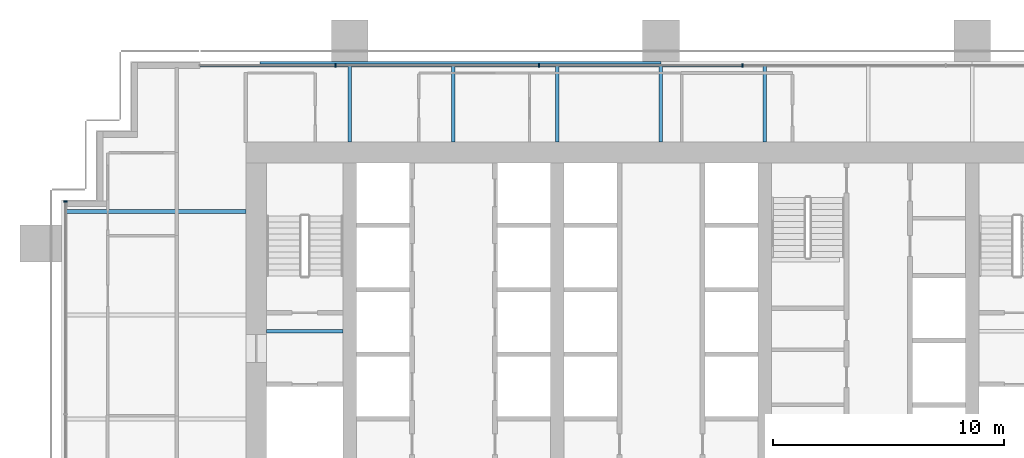
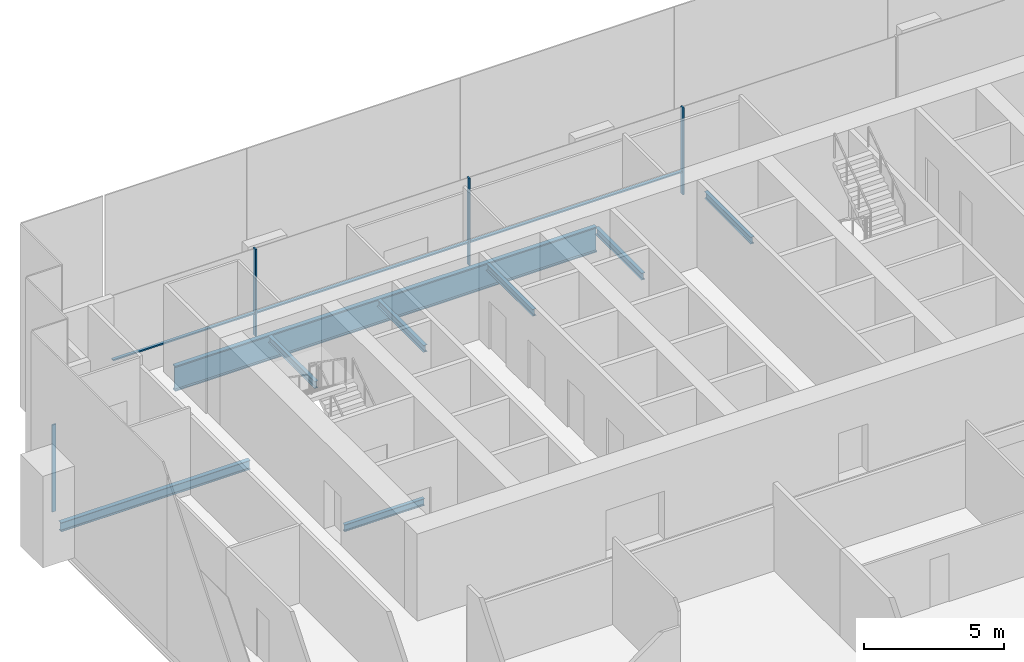
# One storey, part 8 of 19: 8 beams, 7 members, 2 elements without a shape of their own.
"""IFC4 building model written with IfcOpenShell, lengths in metres."""

from ifc_helpers import new_model, si_unit, direction, frame, origin, origin_2d, place, context, subcontext, project, spatial, rectangle, i_section, extrude, material, material_profile, profile_set, type_object, element, aggregate, save


model = new_model("IFC4")

# Units and contexts
model_context = context("Model", 3, precision=1e-05, world=origin(), true_north=direction((0.0, 1.0)))
body_context = subcontext(model_context, "Body", "Model", "MODEL_VIEW")
ifc_project = project(units=[si_unit("LENGTHUNIT", "METRE"), si_unit("AREAUNIT", "SQUARE_METRE"), si_unit("VOLUMEUNIT", "CUBIC_METRE"), si_unit("PLANEANGLEUNIT", "RADIAN"), si_unit("MASSUNIT", "GRAM", prefix="KILO")], contexts=[model_context])

# Site, building, storey
site_placement = place(None, origin())
site = spatial("IfcSite", under=ifc_project, at=site_placement, CompositionType="ELEMENT")
building_placement = place(site_placement, origin())
building = spatial("IfcBuilding", under=site, at=building_placement, Name="Rattan Terrace Tower", CompositionType="ELEMENT")
storey_placement = place(building_placement, frame((0.0, 0.0, 103.699951171875)))
storey = spatial("IfcBuildingStorey", under=building, at=storey_placement, Name="L23", CompositionType="ELEMENT", Elevation=103.699951171875)

# Curtain wall, members
ifc_material_1 = material(Name="Aluminium and glass", Category="aluminium")
curtain_wall_type = type_object("IfcCurtainWallType", Name="Facade Unitised Curtain Wall", PredefinedType="NOTDEFINED", material=ifc_material_1)
curtain_wall_1_placement = place(storey_placement, origin())
curtain_wall_1 = element("IfcCurtainWall", 1, at=curtain_wall_1_placement, inside=storey, type_object=curtain_wall_type, Name="Curtain wall L23-2", PredefinedType="NOTDEFINED")
ifc_material_2 = material(Name="Aluminium", Category="aluminium")
ifc_material_profile_1 = material_profile(ifc_material_2, rectangle(XDim=0.06005859375, YDim=0.159912109375, at=origin_2d()), Name="Aluminium 60x160")
ifc_profile_set_1 = profile_set([ifc_material_profile_1], Name="Aluminium")
member_type_1 = type_object("IfcMemberType", Name="Facade CW Mullion 60x160", PredefinedType="MULLION", material=ifc_profile_set_1)
member_1_placement = place(storey_placement, frame((3.531005859375, 10.830078125, 0.0), z_axis=(0.0, 0.0, 1.0), x_axis=(-1.0, 0.0, 0.0)))
member_1 = element("IfcMember", 2, at=member_1_placement, type_object=member_type_1, Name="Mullion cwl-L23-002.4", PredefinedType="MULLION", context=body_context, shape_type="SweptSolid", body=[
    extrude(rectangle(XDim=0.06005859375, YDim=0.159912109375, at=origin_2d()), origin(), (0.0, 0.0, 1.0), 3.800048828125),
])
member_2_placement = place(storey_placement, frame((-5.2919921875, 10.830078125, 0.0), z_axis=(0.0, 0.0, 1.0), x_axis=(-1.0, 0.0, 0.0)))
member_2 = element("IfcMember", 3, at=member_2_placement, type_object=member_type_1, Name="Mullion cwl-L23-002.5", PredefinedType="MULLION", context=body_context, shape_type="SweptSolid", body=[
    extrude(rectangle(XDim=0.06005859375, YDim=0.159912109375, at=origin_2d()), origin(), (0.0, 0.0, 1.0), 3.800048828125),
])
member_3_placement = place(storey_placement, frame((-14.114990234375, 10.830078125, 0.0), z_axis=(0.0, 0.0, 1.0), x_axis=(-1.0, 0.0, 0.0)))
member_3 = element("IfcMember", 4, at=member_3_placement, type_object=member_type_1, Name="Mullion cwl-L23-002.6", PredefinedType="MULLION", context=body_context, shape_type="SweptSolid", body=[
    extrude(rectangle(XDim=0.06005859375, YDim=0.159912109375, at=origin_2d()), origin(), (0.0, 0.0, 1.0), 3.800048828125),
])

# Curtain wall, member
curtain_wall_2_placement = place(storey_placement, origin())
curtain_wall_2 = element("IfcCurtainWall", 5, at=curtain_wall_2_placement, inside=storey, type_object=curtain_wall_type, Name="Curtain wall L23-3", PredefinedType="NOTDEFINED")
member_4_placement = place(storey_placement, frame((-25.830078125, 4.925048828125, 0.0), z_axis=(0.0, 0.0, 1.0), x_axis=(0.0, -1.0, 0.0)))
member_4 = element("IfcMember", 6, at=member_4_placement, type_object=member_type_1, Name="Mullion cwl-L23-003.1", PredefinedType="MULLION", context=body_context, shape_type="SweptSolid", body=[
    extrude(rectangle(XDim=0.06005859375, YDim=0.159912109375, at=origin_2d()), origin(), (0.0, 0.0, 1.0), 3.800048828125),
])
aggregate(curtain_wall_2, [member_4])

# Member
ifc_material_3 = material(Name="Aluminium", Category="aluminium")
ifc_material_profile_2 = material_profile(ifc_material_3, rectangle(XDim=0.1201171875, YDim=0.06005859375, at=origin_2d()), Name="Aluminium 120x60")
ifc_profile_set_2 = profile_set([ifc_material_profile_2], Name="Aluminium")
member_type_2 = type_object("IfcMemberType", Name="Facade CW Transom 120x60", PredefinedType="USERDEFINED", material=ifc_profile_set_2)
member_5_placement = place(storey_placement, frame((3.5009765625, 10.830078125, 1.0), z_axis=(-1.0, 0.0, 0.0), x_axis=(0.0, -1.0, 0.0)))
member_5 = element("IfcMember", 7, at=member_5_placement, type_object=member_type_2, Name="Transom cwl-L23-002.4", ObjectType="TRANSOM", PredefinedType="USERDEFINED", context=body_context, shape_type="SweptSolid", body=[
    extrude(rectangle(XDim=0.1201171875, YDim=0.06005859375, at=origin_2d()), origin(), (0.0, 0.0, 1.0), 8.762939453125),
])

member_6_placement = place(storey_placement, frame((-5.322021484375, 10.830078125, 1.0), z_axis=(-1.0, 0.0, 0.0), x_axis=(0.0, -1.0, 0.0)))
member_6 = element("IfcMember", 8, at=member_6_placement, type_object=member_type_2, Name="Transom cwl-L23-002.5", ObjectType="TRANSOM", PredefinedType="USERDEFINED", context=body_context, shape_type="SweptSolid", body=[
    extrude(rectangle(XDim=0.1201171875, YDim=0.06005859375, at=origin_2d()), origin(), (0.0, 0.0, 1.0), 8.762939453125),
])

member_7_placement = place(storey_placement, frame((-14.14501953125, 10.830078125, 1.0), z_axis=(-1.0, 0.0, 0.0), x_axis=(0.0, -1.0, 0.0)))
member_7 = element("IfcMember", 9, at=member_7_placement, type_object=member_type_2, Name="Transom cwl-L23-002.6", ObjectType="TRANSOM", PredefinedType="USERDEFINED", context=body_context, shape_type="SweptSolid", body=[
    extrude(rectangle(XDim=0.1201171875, YDim=0.06005859375, at=origin_2d()), origin(), (0.0, 0.0, 1.0), 5.85498046875),
])

aggregate(curtain_wall_1, [member_1, member_2, member_3, member_5, member_6, member_7])

# Beams
ifc_material_4 = material(Name="Steel S460", Category="steel")
ifc_material_profile_3 = material_profile(ifc_material_4, i_section(OverallWidth=0.179931640625, OverallDepth=1.10009765625, WebThickness=0.01611328125, FlangeThickness=0.050048828125, at=origin_2d()), Name="PG 1100x180-16-50")
ifc_profile_set_3 = profile_set([ifc_material_profile_3], Name="Steel S460")
beam_type_1 = type_object("IfcBeamType", Name="Frame edge girder PG 1100x180-16-50", PredefinedType="SPANDREL", material=ifc_profile_set_3)
beam_1_placement = place(storey_placement, frame((-17.39990234375, 10.909912109375, -0.75), z_axis=(1.0, 0.0, 0.0), x_axis=(0.0, 1.0, 0.0)))
element("IfcBeam", 10, at=beam_1_placement, inside=storey, type_object=beam_type_1, Name="gdr-L23-006", PredefinedType="SPANDREL", context=body_context, shape_type="SweptSolid", body=[
    extrude(i_section(OverallWidth=0.179931640625, OverallDepth=1.10009765625, WebThickness=0.01611328125, FlangeThickness=0.050048828125, at=origin_2d()), origin(), (0.0, 0.0, 1.0), 17.39990234375),
])
ifc_material_5 = material(Name="Steel S355", Category="steel")
ifc_material_profile_4 = material_profile(ifc_material_5, i_section(OverallWidth=0.14990234375, OverallDepth=0.300048828125, WebThickness=0.007080078125, FlangeThickness=0.0107421875, FilletRadius=0.014892578125, at=origin_2d()), Name="IPE 300")
ifc_profile_set_4 = profile_set([ifc_material_profile_4], Name="Steel S355")
beam_type_2 = type_object("IfcBeamType", Name="Frame floor beam IPE 300", PredefinedType="JOIST", material=ifc_profile_set_4)
beam_2_placement = place(storey_placement, frame((-17.10009765625, -0.695068359375, -0.349853515625), z_axis=(1.0, 0.0, 0.0), x_axis=(0.0, 1.0, 0.0)))
element("IfcBeam", 11, at=beam_2_placement, inside=storey, type_object=beam_type_2, Name="bm-L23-001", PredefinedType="JOIST", context=body_context, shape_type="SweptSolid", body=[
    extrude(i_section(OverallWidth=0.14990234375, OverallDepth=0.300048828125, WebThickness=0.007080078125, FlangeThickness=0.0107421875, FilletRadius=0.014892578125, at=origin_2d()), origin(), (0.0, 0.0, 1.0), 3.300048828125),
])
for number, where, z_axis, x_axis, name in (
    (12, (-13.5, 7.5, -0.349853515625), (0.0, 1.0, 0.0), (-1.0, 0.0, 0.0), "bm-L23-018"),
    (13, (-9.0, 7.5, -0.349853515625), (0.0, 1.0, 0.0), (-1.0, 0.0, 0.0), "bm-L23-019"),
    (14, (-4.5, 7.5, -0.349853515625), (0.0, 1.0, 0.0), (-1.0, 0.0, 0.0), "bm-L23-020"),
    (15, (0.0, 7.5, -0.349853515625), (0.0, 1.0, 0.0), (-1.0, 0.0, 0.0), "bm-L23-021"),
    (16, (4.5, 7.5, -0.349853515625), (0.0, 1.0, 0.0), (-1.0, 0.0, 0.0), "bm-L23-022"),
):
    element("IfcBeam", number, at=place(storey_placement, frame(where, z_axis=z_axis, x_axis=x_axis)), inside=storey, type_object=beam_type_2, Name=name, PredefinedType="JOIST", context=body_context, shape_type="SweptSolid", body=[
        extrude(i_section(OverallWidth=0.14990234375, OverallDepth=0.300048828125, WebThickness=0.007080078125, FlangeThickness=0.0107421875, FilletRadius=0.014892578125, at=origin_2d()), origin(), (0.0, 0.0, 1.0), 3.320068359375),
    ])
ifc_material_6 = material(Name="Steel S355", Category="steel")
ifc_material_profile_5 = material_profile(ifc_material_6, i_section(OverallWidth=0.179931640625, OverallDepth=0.39990234375, WebThickness=0.008544921875, FlangeThickness=0.013427734375, FilletRadius=0.02099609375, at=origin_2d()), Name="IPE 400")
ifc_profile_set_5 = profile_set([ifc_material_profile_5], Name="Steel S355")
beam_type_3 = type_object("IfcBeamType", Name="Frame floor beam IPE 400", PredefinedType="JOIST", material=ifc_profile_set_5)
beam_3_placement = place(storey_placement, frame((-25.820068359375, 4.5, -0.39990234375), z_axis=(1.0, 0.0, 0.0), x_axis=(0.0, 1.0, 0.0)))
element("IfcBeam", 17, at=beam_3_placement, inside=storey, type_object=beam_type_3, Name="bm-L23-016", PredefinedType="JOIST", context=body_context, shape_type="SweptSolid", body=[
    extrude(i_section(OverallWidth=0.179931640625, OverallDepth=0.39990234375, WebThickness=0.008544921875, FlangeThickness=0.013427734375, FilletRadius=0.02099609375, at=origin_2d()), origin(), (0.0, 0.0, 1.0), 7.820068359375),
])

save(model, "model.ifc")
